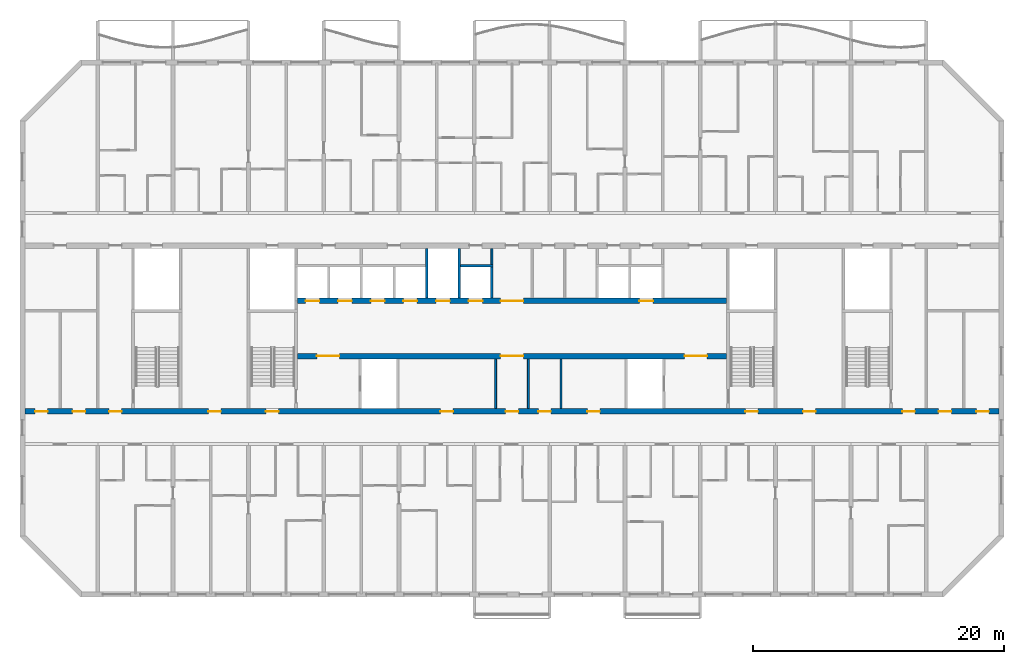
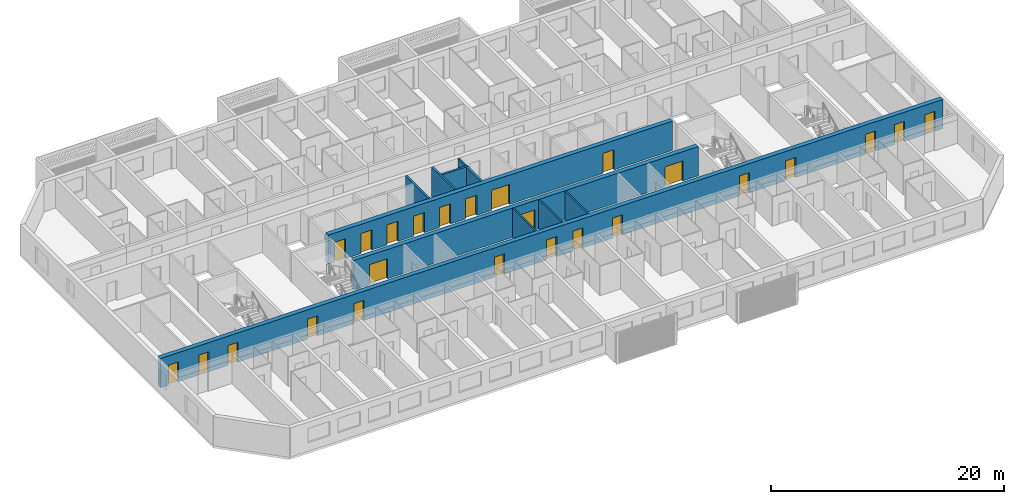
# One storey, part 6 of 31: 25 doors, 11 walls, 25 openings.
"""IFC4 building model written with IfcOpenShell, lengths in metres."""

import ifcopenshell
import ifcopenshell.guid

model = None  # the IFC model being written
_history = None  # IfcOwnerHistory: only IFC2X3 demands one
_inside = {}  # id of a spatial element -> (the spatial element, [elements in it])
_under = {}  # id of a project, library or spatial element -> (it, [spatial elements below it])
_declared = {}  # id of a project -> (the project, [libraries it declares])
_typed = {}  # id of a type object -> (the type object, [elements of that type])
_made_of = {}  # id of a material, layer set ... -> (it, [elements and type objects made of it])


def new_model(schema):
    """Start an empty IFC model of exactly this schema.

    Asked for "IFC4X3", IfcOpenShell would pick the latest addendum, in which some entities
    have other attributes; the version numbers below select the first issue.
    IFC2X3 requires an IfcOwnerHistory on every rooted entity: one is made here for all.
    """
    global model, _history
    if schema == "IFC4X3":
        model = ifcopenshell.file(schema_version=(4, 3, 0, 0))
    else:
        model = ifcopenshell.file(schema=schema)
    _inside.clear()
    _under.clear()
    _declared.clear()
    _typed.clear()
    _made_of.clear()
    _history = None
    if model.schema == "IFC2X3":
        org = make("IfcOrganization", Name="unknown")
        user = make(
            "IfcPersonAndOrganization",
            ThePerson=make("IfcPerson", FamilyName="unknown"),
            TheOrganization=org,
        )
        app = make(
            "IfcApplication",
            ApplicationDeveloper=org,
            Version="unknown",
            ApplicationFullName="unknown",
            ApplicationIdentifier="unknown",
        )
        _history = make(
            "IfcOwnerHistory",
            OwningUser=user,
            OwningApplication=app,
            ChangeAction="ADDED",
            CreationDate=0,
        )
    return model


def make(cls, **values):
    """One entity of the class cls with the attributes given. An attribute that is None is left unset."""
    return model.create_entity(
        cls, **{name: value for name, value in values.items() if value is not None}
    )


def rooted(cls, **values):
    """An entity with a GlobalId (a new one), such as an element, a storey or a relation."""
    return make(cls, GlobalId=ifcopenshell.guid.new(), OwnerHistory=_history, **values)


def si_unit(unit_type, name, prefix=None):
    """IfcSIUnit, for example si_unit("LENGTHUNIT", "METRE", prefix="MILLI")."""
    return make("IfcSIUnit", UnitType=unit_type, Prefix=prefix, Name=name)


def assignment(units):
    """IfcUnitAssignment: the units of a project."""
    return None if units is None else make("IfcUnitAssignment", Units=units)


def point(xyz):
    """IfcCartesianPoint."""
    return None if xyz is None else make("IfcCartesianPoint", Coordinates=xyz)


def direction(xyz):
    """IfcDirection."""
    return None if xyz is None else make("IfcDirection", DirectionRatios=xyz)


def frame(location, z_axis=None, x_axis=None):
    """IfcAxis2Placement3D, a coordinate frame: its origin and axes. An axis left out is left unset."""
    return make(
        "IfcAxis2Placement3D",
        Location=point(location),
        Axis=direction(z_axis),
        RefDirection=direction(x_axis),
    )


def frame_2d(location, x_axis=None):
    """IfcAxis2Placement2D, a coordinate frame in the plane: its origin and x axis."""
    return make(
        "IfcAxis2Placement2D", Location=point(location), RefDirection=direction(x_axis)
    )


def origin():
    """The frame at (0, 0, 0) with its axes left unset."""
    return frame((0.0, 0.0, 0.0))


def place(relative_to, where):
    """IfcLocalPlacement: puts the frame where relative to a parent placement (None: the world)."""
    return make(
        "IfcLocalPlacement", PlacementRelTo=relative_to, RelativePlacement=where
    )


def context(
    kind, dimensions, precision=None, world=None, true_north=None, identifier=None
):
    """IfcGeometricRepresentationContext, for example the 3D "Model" context."""
    return make(
        "IfcGeometricRepresentationContext",
        ContextIdentifier=identifier,
        ContextType=kind,
        CoordinateSpaceDimension=dimensions,
        Precision=precision,
        WorldCoordinateSystem=world,
        TrueNorth=true_north,
    )


def subcontext(parent, identifier, kind, view, scale=None):
    """IfcGeometricRepresentationSubContext, for example "Body" below "Model"."""
    return make(
        "IfcGeometricRepresentationSubContext",
        ContextIdentifier=identifier,
        ContextType=kind,
        ParentContext=parent,
        TargetScale=scale,
        TargetView=view,
    )


def project(units=None, contexts=None):
    """IfcProject with its units and contexts."""
    return rooted(
        "IfcProject",
        Name="project",
        RepresentationContexts=contexts,
        UnitsInContext=assignment(units),
    )


def spatial(cls, under=None, at=None, **own):
    """A site, building, storey or space (cls), placed at a placement, below another one or the project."""
    s = rooted(cls, ObjectPlacement=at, **own)
    if under is not None:
        _under.setdefault(under.id(), (under, []))[1].append(s)
    return s


def profile(cls, at=None, kind="AREA", **sizes):
    """A parametric profile (cls). Its sizes go by their IFC names, for example OverallWidth=200.0."""
    return make(cls, ProfileType=kind, Position=at, **sizes)


def rectangle(**sizes):
    """IfcRectangleProfileDef."""
    return profile("IfcRectangleProfileDef", **sizes)


def extrude(swept, where, along, depth):
    """IfcExtrudedAreaSolid: the profile swept, set in the frame where, extruded along a direction by depth."""
    return make(
        "IfcExtrudedAreaSolid",
        SweptArea=swept,
        Position=where,
        ExtrudedDirection=direction(along),
        Depth=depth,
    )


def shape(context_of_items, identifier, shape_type, items):
    """IfcShapeRepresentation: the items that make up one representation, for example the "Body"."""
    return make(
        "IfcShapeRepresentation",
        ContextOfItems=context_of_items,
        RepresentationIdentifier=identifier,
        RepresentationType=shape_type,
        Items=items,
    )


def material(Name=None, Category=None):
    """IfcMaterial."""
    return make("IfcMaterial", Name=Name, Category=Category)


def layer(
    of_material, thickness, ventilated=None, Name=None, Category=None, Priority=None
):
    """IfcMaterialLayer: one layer of a wall or slab, of a material (None: an air gap)."""
    return make(
        "IfcMaterialLayer",
        Material=of_material,
        LayerThickness=thickness,
        IsVentilated=ventilated,
        Name=Name,
        Category=Category,
        Priority=Priority,
    )


def layer_set(layers, Name=None):
    """IfcMaterialLayerSet."""
    return make("IfcMaterialLayerSet", MaterialLayers=layers, LayerSetName=Name)


def made_of(thing, what):
    """Note that an element or type object is made of a material, layer set ...; save() writes the relation."""
    if what is not None:
        _made_of.setdefault(what.id(), (what, []))[1].append(thing)
    return thing


def type_object(cls, material=None, **own):
    """A type object (cls), such as IfcWallType, which elements share."""
    return made_of(rooted(cls, **own), material)


def element(
    cls,
    number,
    at=None,
    inside=None,
    cuts=None,
    type_object=None,
    material=None,
    context=None,
    identifier="Body",
    shape_type=None,
    held_by="IfcProductDefinitionShape",
    body=None,
    shapes=None,
    **own,
):
    """One element of the class cls, such as IfcWall. Its Tag is "e" and its number.

    at: its placement. inside: the storey or other place that contains it. cuts: it is an
    opening in that element (IfcRelVoidsElement). A single representation is given by context,
    identifier, shape_type and body (its items); several are given by shapes. held_by: the class
    of the entity that holds the representations. save() writes the other relations.
    """
    e = rooted(cls, Tag="e%d" % number, ObjectPlacement=at, **own)
    if body is not None:
        shapes = [shape(context, identifier, shape_type, body)]
    if shapes is not None:
        e.Representation = make(held_by, Representations=shapes)
    if inside is not None:
        _inside.setdefault(inside.id(), (inside, []))[1].append(e)
    if cuts is not None:
        rooted(
            "IfcRelVoidsElement", RelatingBuildingElement=cuts, RelatedOpeningElement=e
        )
    if type_object is not None:
        _typed.setdefault(type_object.id(), (type_object, []))[1].append(e)
    return made_of(e, material)


def fill(opening, filler):
    """IfcRelFillsElement: the door or window that sits in an opening."""
    return rooted(
        "IfcRelFillsElement",
        RelatingOpeningElement=opening,
        RelatedBuildingElement=filler,
    )


def aggregate(whole, parts):
    """IfcRelAggregates: a whole, such as a stair, and the parts it consists of."""
    return rooted("IfcRelAggregates", RelatingObject=whole, RelatedObjects=parts)


def save(model, path):
    """Write the relations noted so far, then the file.

    IfcRelAggregates (storeys below a building ...), IfcRelContainedInSpatialStructure (elements
    in a storey), IfcRelDefinesByType, IfcRelAssociatesMaterial and IfcRelDeclares: one each for
    every whole, place, type object, material and project.
    """
    for whole, parts in _under.values():
        aggregate(whole, parts)
    for where, things in _inside.values():
        rooted(
            "IfcRelContainedInSpatialStructure",
            RelatedElements=things,
            RelatingStructure=where,
        )
    for kind, things in _typed.values():
        rooted("IfcRelDefinesByType", RelatedObjects=things, RelatingType=kind)
    for what, things in _made_of.values():
        rooted("IfcRelAssociatesMaterial", RelatedObjects=things, RelatingMaterial=what)
    for by, libraries in _declared.values():
        rooted("IfcRelDeclares", RelatingContext=by, RelatedDefinitions=libraries)
    model.write(path)


model = new_model("IFC4")

# Units and contexts
model_context = context("Model", 3, precision=1e-05, world=origin(), true_north=direction((0.0, 1.0)))
body_context = subcontext(model_context, "Body", "Model", "MODEL_VIEW")
ifc_project = project(units=[si_unit("LENGTHUNIT", "METRE"), si_unit("AREAUNIT", "SQUARE_METRE"), si_unit("VOLUMEUNIT", "CUBIC_METRE"), si_unit("PLANEANGLEUNIT", "RADIAN"), si_unit("MASSUNIT", "GRAM", prefix="KILO")], contexts=[model_context])

# Site, building, storey
site_placement = place(None, origin())
site = spatial("IfcSite", under=ifc_project, at=site_placement, CompositionType="ELEMENT")
building_placement = place(site_placement, origin())
building = spatial("IfcBuilding", under=site, at=building_placement, Name="Poui Terraces", CompositionType="ELEMENT")
storey_placement = place(building_placement, frame((0.0, 0.0, 148.800048828125)))
storey = spatial("IfcBuildingStorey", under=building, at=storey_placement, Name="L41", CompositionType="ELEMENT", Elevation=148.800048828125)

# Wall, openings, doors
ifc_material_1 = material(Name="Concrete 65 MPa", Category="concrete")
ifc_layer_1 = layer(ifc_material_1, 0.449951171875)
ifc_layer_set_1 = layer_set([ifc_layer_1], Name="Concrete 65 MPa")
wall_type_1 = type_object("IfcWallType", Name="CORE WALL 450 65 MPA", PredefinedType="SOLIDWALL", material=ifc_layer_set_1)
wall_1_placement = place(storey_placement, frame((33.925048828125, 19.0, 0.0), z_axis=(0.0, 0.0, 1.0), x_axis=(1.0, 0.0, 0.0)))
wall_1 = element("IfcWall", 1, at=wall_1_placement, inside=storey, type_object=wall_type_1, Name="CORE WALL", PredefinedType="SOLIDWALL", context=body_context, shape_type="SweptSolid", body=[
    extrude(rectangle(XDim=34.14990234375, YDim=0.449951171875, at=frame_2d((17.074951171875, 0.0))), origin(), (0.0, 0.0, 1.0), 3.070068359375),
])
opening_1_placement = place(wall_1_placement, frame((16.175048828125, 0.0, 0.0)))
opening_1 = element("IfcOpeningElement", 2, at=opening_1_placement, cuts=wall_1, Name="Opening FDD60", PredefinedType="OPENING", context=body_context, shape_type="SweptSolid", body=[
    extrude(rectangle(XDim=1.800048828125, YDim=2.10009765625, at=frame_2d((0.89990234375, 1.050048828125))), frame((0.0, 0.23486328125, 0.0), z_axis=(0.0, -1.0, 0.0), x_axis=(1.0, 0.0, 0.0)), (0.0, 0.0, 1.0), 0.469970703125),
])
opening_2_placement = place(wall_1_placement, frame((1.52490234375, 0.0, 0.0)))
opening_2 = element("IfcOpeningElement", 3, at=opening_2_placement, cuts=wall_1, Name="Opening FDD60", PredefinedType="OPENING", context=body_context, shape_type="SweptSolid", body=[
    extrude(rectangle(XDim=1.800048828125, YDim=2.10009765625, at=frame_2d((0.89990234375, 1.050048828125))), frame((0.0, 0.23486328125, 0.0), z_axis=(0.0, -1.0, 0.0), x_axis=(1.0, 0.0, 0.0)), (0.0, 0.0, 1.0), 0.469970703125),
])
opening_3_placement = place(wall_1_placement, frame((30.824951171875, 0.0, 0.0)))
opening_3 = element("IfcOpeningElement", 4, at=opening_3_placement, cuts=wall_1, Name="Opening FDD60", PredefinedType="OPENING", context=body_context, shape_type="SweptSolid", body=[
    extrude(rectangle(XDim=1.800048828125, YDim=2.10009765625, at=frame_2d((0.89990234375, 1.050048828125))), frame((0.0, 0.23486328125, 0.0), z_axis=(0.0, -1.0, 0.0), x_axis=(1.0, 0.0, 0.0)), (0.0, 0.0, 1.0), 0.469970703125),
])
ifc_material_2 = material(Name="Steel fire door", Category="steel")
door_type_1 = type_object("IfcDoorType", Name="DOUBLE LOBBY FIRE DOOR 1800 X 2100", OperationType="DOUBLE_DOOR_SINGLE_SWING", PredefinedType="DOOR", material=ifc_material_2)
door_1_placement = place(opening_1_placement, frame((1.800048828125, 0.0, 0.0), z_axis=(0.0, 0.0, 1.0), x_axis=(-1.0, 0.0, 0.0)))
door_1 = element("IfcDoor", 5, at=door_1_placement, inside=storey, type_object=door_type_1, Name="DOUBLE LOBBY FIRE DOOR 125", OperationType="DOUBLE_DOOR_SINGLE_SWING", OverallHeight=2.10009765625, OverallWidth=1.800048828125, PredefinedType="DOOR", context=body_context, shape_type="SweptSolid", body=[
    extrude(rectangle(XDim=1.800048828125, YDim=2.10009765625, at=frame_2d((0.89990234375, 1.050048828125))), frame((0.0, 0.02490234375, 0.0), z_axis=(0.0, -1.0, 0.0), x_axis=(1.0, 0.0, 0.0)), (0.0, 0.0, 1.0), 0.050048828125),
])
fill(opening_1, door_1)
door_2_placement = place(opening_2_placement, origin())
door_2 = element("IfcDoor", 6, at=door_2_placement, inside=storey, type_object=door_type_1, Name="DOUBLE LOBBY FIRE DOOR 127", OperationType="DOUBLE_DOOR_SINGLE_SWING", OverallHeight=2.10009765625, OverallWidth=1.800048828125, PredefinedType="DOOR", context=body_context, shape_type="SweptSolid", body=[
    extrude(rectangle(XDim=1.800048828125, YDim=2.10009765625, at=frame_2d((0.89990234375, 1.050048828125))), frame((0.0, 0.02490234375, 0.0), z_axis=(0.0, -1.0, 0.0), x_axis=(1.0, 0.0, 0.0)), (0.0, 0.0, 1.0), 0.050048828125),
])
fill(opening_2, door_2)
door_3_placement = place(opening_3_placement, origin())
door_3 = element("IfcDoor", 7, at=door_3_placement, inside=storey, type_object=door_type_1, Name="DOUBLE LOBBY FIRE DOOR 134", OperationType="DOUBLE_DOOR_SINGLE_SWING", OverallHeight=2.10009765625, OverallWidth=1.800048828125, PredefinedType="DOOR", context=body_context, shape_type="SweptSolid", body=[
    extrude(rectangle(XDim=1.800048828125, YDim=2.10009765625, at=frame_2d((0.89990234375, 1.050048828125))), frame((0.0, 0.02490234375, 0.0), z_axis=(0.0, -1.0, 0.0), x_axis=(1.0, 0.0, 0.0)), (0.0, 0.0, 1.0), 0.050048828125),
])
fill(opening_3, door_3)

wall_2_placement = place(storey_placement, frame((33.925048828125, 23.39990234375, 0.0), z_axis=(0.0, 0.0, 1.0), x_axis=(1.0, 0.0, 0.0)))
wall_2 = element("IfcWall", 8, at=wall_2_placement, inside=storey, type_object=wall_type_1, Name="CORE WALL", PredefinedType="SOLIDWALL", context=body_context, shape_type="SweptSolid", body=[
    extrude(rectangle(XDim=34.14990234375, YDim=0.449951171875, at=frame_2d((17.074951171875, 0.0))), origin(), (0.0, 0.0, 1.0), 3.070068359375),
])
opening_4_placement = place(wall_2_placement, frame((16.175048828125, 0.0, 0.0)))
opening_4 = element("IfcOpeningElement", 9, at=opening_4_placement, cuts=wall_2, Name="Opening FDD60", PredefinedType="OPENING", context=body_context, shape_type="SweptSolid", body=[
    extrude(rectangle(XDim=1.800048828125, YDim=2.10009765625, at=frame_2d((0.89990234375, 1.050048828125))), frame((0.0, 0.23486328125, 0.0), z_axis=(0.0, -1.0, 0.0), x_axis=(1.0, 0.0, 0.0)), (0.0, 0.0, 1.0), 0.469970703125),
])
opening_5_placement = place(wall_2_placement, frame((0.625, 0.0, 0.0)))
opening_5 = element("IfcOpeningElement", 10, at=opening_5_placement, cuts=wall_2, Name="Opening LD", PredefinedType="OPENING", context=body_context, shape_type="SweptSolid", body=[
    extrude(rectangle(XDim=1.10009765625, YDim=2.10009765625, at=frame_2d((0.550048828125, 1.050048828125))), frame((0.0, 0.23486328125, 0.0), z_axis=(0.0, -1.0, 0.0), x_axis=(1.0, 0.0, 0.0)), (0.0, 0.0, 1.0), 0.469970703125),
])
opening_6_placement = place(wall_2_placement, frame((3.22509765625, 0.0, 0.0)))
opening_6 = element("IfcOpeningElement", 11, at=opening_6_placement, cuts=wall_2, Name="Opening LD", PredefinedType="OPENING", context=body_context, shape_type="SweptSolid", body=[
    extrude(rectangle(XDim=1.10009765625, YDim=2.10009765625, at=frame_2d((0.550048828125, 1.050048828125))), frame((0.0, 0.23486328125, 0.0), z_axis=(0.0, -1.0, 0.0), x_axis=(1.0, 0.0, 0.0)), (0.0, 0.0, 1.0), 0.469970703125),
])
opening_7_placement = place(wall_2_placement, frame((5.824951171875, 0.0, 0.0)))
opening_7 = element("IfcOpeningElement", 12, at=opening_7_placement, cuts=wall_2, Name="Opening LD", PredefinedType="OPENING", context=body_context, shape_type="SweptSolid", body=[
    extrude(rectangle(XDim=1.10009765625, YDim=2.10009765625, at=frame_2d((0.550048828125, 1.050048828125))), frame((0.0, 0.23486328125, 0.0), z_axis=(0.0, -1.0, 0.0), x_axis=(1.0, 0.0, 0.0)), (0.0, 0.0, 1.0), 0.469970703125),
])
opening_8_placement = place(wall_2_placement, frame((8.425048828125, 0.0, 0.0)))
opening_8 = element("IfcOpeningElement", 13, at=opening_8_placement, cuts=wall_2, Name="Opening LD", PredefinedType="OPENING", context=body_context, shape_type="SweptSolid", body=[
    extrude(rectangle(XDim=1.10009765625, YDim=2.10009765625, at=frame_2d((0.550048828125, 1.050048828125))), frame((0.0, 0.23486328125, 0.0), z_axis=(0.0, -1.0, 0.0), x_axis=(1.0, 0.0, 0.0)), (0.0, 0.0, 1.0), 0.469970703125),
])
opening_9_placement = place(wall_2_placement, frame((11.02490234375, 0.0, 0.0)))
opening_9 = element("IfcOpeningElement", 14, at=opening_9_placement, cuts=wall_2, Name="Opening LD", PredefinedType="OPENING", context=body_context, shape_type="SweptSolid", body=[
    extrude(rectangle(XDim=1.10009765625, YDim=2.10009765625, at=frame_2d((0.550048828125, 1.050048828125))), frame((0.0, 0.23486328125, 0.0), z_axis=(0.0, -1.0, 0.0), x_axis=(1.0, 0.0, 0.0)), (0.0, 0.0, 1.0), 0.469970703125),
])
opening_10_placement = place(wall_2_placement, frame((13.625, 0.0, 0.0)))
opening_10 = element("IfcOpeningElement", 15, at=opening_10_placement, cuts=wall_2, Name="Opening LD", PredefinedType="OPENING", context=body_context, shape_type="SweptSolid", body=[
    extrude(rectangle(XDim=1.10009765625, YDim=2.10009765625, at=frame_2d((0.550048828125, 1.050048828125))), frame((0.0, 0.23486328125, 0.0), z_axis=(0.0, -1.0, 0.0), x_axis=(1.0, 0.0, 0.0)), (0.0, 0.0, 1.0), 0.469970703125),
])
opening_11_placement = place(wall_2_placement, frame((27.22509765625, 0.0, 0.0)))
opening_11 = element("IfcOpeningElement", 16, at=opening_11_placement, cuts=wall_2, Name="Opening LD", PredefinedType="OPENING", context=body_context, shape_type="SweptSolid", body=[
    extrude(rectangle(XDim=1.10009765625, YDim=2.10009765625, at=frame_2d((0.550048828125, 1.050048828125))), frame((0.0, 0.23486328125, 0.0), z_axis=(0.0, -1.0, 0.0), x_axis=(1.0, 0.0, 0.0)), (0.0, 0.0, 1.0), 0.469970703125),
])
door_4_placement = place(opening_4_placement, origin())
door_4 = element("IfcDoor", 17, at=door_4_placement, inside=storey, type_object=door_type_1, Name="DOUBLE LOBBY FIRE DOOR 124", OperationType="DOUBLE_DOOR_SINGLE_SWING", OverallHeight=2.10009765625, OverallWidth=1.800048828125, PredefinedType="DOOR", context=body_context, shape_type="SweptSolid", body=[
    extrude(rectangle(XDim=1.800048828125, YDim=2.10009765625, at=frame_2d((0.89990234375, 1.050048828125))), frame((0.0, 0.02490234375, 0.0), z_axis=(0.0, -1.0, 0.0), x_axis=(1.0, 0.0, 0.0)), (0.0, 0.0, 1.0), 0.050048828125),
])
fill(opening_4, door_4)
ifc_material_3 = material(Name="Stainless steel sliding door", Category="steel")
door_type_2 = type_object("IfcDoorType", Name="LIFT LANDING DOOR 1100 X 2100", OperationType="DOUBLE_DOOR_SLIDING", PredefinedType="DOOR", material=ifc_material_3)
door_5_placement = place(opening_5_placement, origin())
door_5 = element("IfcDoor", 18, at=door_5_placement, inside=storey, type_object=door_type_2, Name="LANDING DOOR", OperationType="DOUBLE_DOOR_SLIDING", OverallHeight=2.10009765625, OverallWidth=1.10009765625, PredefinedType="DOOR", context=body_context, shape_type="SweptSolid", body=[
    extrude(rectangle(XDim=1.10009765625, YDim=2.10009765625, at=frame_2d((0.550048828125, 1.050048828125))), frame((0.0, 0.02490234375, 0.0), z_axis=(0.0, -1.0, 0.0), x_axis=(1.0, 0.0, 0.0)), (0.0, 0.0, 1.0), 0.050048828125),
])
fill(opening_5, door_5)
door_6_placement = place(opening_6_placement, origin())
door_6 = element("IfcDoor", 19, at=door_6_placement, inside=storey, type_object=door_type_2, Name="LANDING DOOR", OperationType="DOUBLE_DOOR_SLIDING", OverallHeight=2.10009765625, OverallWidth=1.10009765625, PredefinedType="DOOR", context=body_context, shape_type="SweptSolid", body=[
    extrude(rectangle(XDim=1.10009765625, YDim=2.10009765625, at=frame_2d((0.550048828125, 1.050048828125))), frame((0.0, 0.02490234375, 0.0), z_axis=(0.0, -1.0, 0.0), x_axis=(1.0, 0.0, 0.0)), (0.0, 0.0, 1.0), 0.050048828125),
])
fill(opening_6, door_6)
door_7_placement = place(opening_7_placement, origin())
door_7 = element("IfcDoor", 20, at=door_7_placement, inside=storey, type_object=door_type_2, Name="LANDING DOOR", OperationType="DOUBLE_DOOR_SLIDING", OverallHeight=2.10009765625, OverallWidth=1.10009765625, PredefinedType="DOOR", context=body_context, shape_type="SweptSolid", body=[
    extrude(rectangle(XDim=1.10009765625, YDim=2.10009765625, at=frame_2d((0.550048828125, 1.050048828125))), frame((0.0, 0.02490234375, 0.0), z_axis=(0.0, -1.0, 0.0), x_axis=(1.0, 0.0, 0.0)), (0.0, 0.0, 1.0), 0.050048828125),
])
fill(opening_7, door_7)
door_8_placement = place(opening_8_placement, origin())
door_8 = element("IfcDoor", 21, at=door_8_placement, inside=storey, type_object=door_type_2, Name="LANDING DOOR", OperationType="DOUBLE_DOOR_SLIDING", OverallHeight=2.10009765625, OverallWidth=1.10009765625, PredefinedType="DOOR", context=body_context, shape_type="SweptSolid", body=[
    extrude(rectangle(XDim=1.10009765625, YDim=2.10009765625, at=frame_2d((0.550048828125, 1.050048828125))), frame((0.0, 0.02490234375, 0.0), z_axis=(0.0, -1.0, 0.0), x_axis=(1.0, 0.0, 0.0)), (0.0, 0.0, 1.0), 0.050048828125),
])
fill(opening_8, door_8)
door_9_placement = place(opening_9_placement, origin())
door_9 = element("IfcDoor", 22, at=door_9_placement, inside=storey, type_object=door_type_2, Name="LANDING DOOR", OperationType="DOUBLE_DOOR_SLIDING", OverallHeight=2.10009765625, OverallWidth=1.10009765625, PredefinedType="DOOR", context=body_context, shape_type="SweptSolid", body=[
    extrude(rectangle(XDim=1.10009765625, YDim=2.10009765625, at=frame_2d((0.550048828125, 1.050048828125))), frame((0.0, 0.02490234375, 0.0), z_axis=(0.0, -1.0, 0.0), x_axis=(1.0, 0.0, 0.0)), (0.0, 0.0, 1.0), 0.050048828125),
])
fill(opening_9, door_9)
door_10_placement = place(opening_10_placement, origin())
door_10 = element("IfcDoor", 23, at=door_10_placement, inside=storey, type_object=door_type_2, Name="LANDING DOOR", OperationType="DOUBLE_DOOR_SLIDING", OverallHeight=2.10009765625, OverallWidth=1.10009765625, PredefinedType="DOOR", context=body_context, shape_type="SweptSolid", body=[
    extrude(rectangle(XDim=1.10009765625, YDim=2.10009765625, at=frame_2d((0.550048828125, 1.050048828125))), frame((0.0, 0.02490234375, 0.0), z_axis=(0.0, -1.0, 0.0), x_axis=(1.0, 0.0, 0.0)), (0.0, 0.0, 1.0), 0.050048828125),
])
fill(opening_10, door_10)
door_11_placement = place(opening_11_placement, origin())
door_11 = element("IfcDoor", 24, at=door_11_placement, inside=storey, type_object=door_type_2, Name="LANDING DOOR", OperationType="DOUBLE_DOOR_SLIDING", OverallHeight=2.10009765625, OverallWidth=1.10009765625, PredefinedType="DOOR", context=body_context, shape_type="SweptSolid", body=[
    extrude(rectangle(XDim=1.10009765625, YDim=2.10009765625, at=frame_2d((0.550048828125, 1.050048828125))), frame((0.0, 0.02490234375, 0.0), z_axis=(0.0, -1.0, 0.0), x_axis=(1.0, 0.0, 0.0)), (0.0, 0.0, 1.0), 0.050048828125),
])
fill(opening_11, door_11)

# Walls
ifc_material_4 = material(Name="Fire-rated plasterboard wall")
ifc_layer_2 = layer(ifc_material_4, 0.14990234375)
ifc_layer_set_2 = layer_set([ifc_layer_2], Name="Fire-rated plasterboard wall")
wall_type_2 = type_object("IfcWallType", Name="CORRIDOR WALL 150", PredefinedType="PARTITIONING", material=ifc_layer_set_2)
wall_3_placement = place(storey_placement, frame((49.39990234375, 26.300048828125, 0.0), z_axis=(0.0, 0.0, 1.0), x_axis=(0.0, 1.0, 0.0)))
element("IfcWall", 25, at=wall_3_placement, inside=storey, type_object=wall_type_2, Name="CORRIDOR WALL 150", PredefinedType="PARTITIONING", context=body_context, shape_type="SweptSolid", body=[
    extrude(rectangle(XDim=1.264892578125, YDim=0.14990234375, at=frame_2d((0.63232421875, 0.0))), origin(), (0.0, 0.0, 1.0), 3.070068359375),
])
for number, where, z_axis, x_axis, name in (
    (26, (49.699951171875, 14.8349609375, 0.0), (0.0, 0.0, 1.0), (0.0, 1.0, 0.0), "CORRIDOR WALL 150"),
    (27, (52.300048828125, 14.8349609375, 0.0), (0.0, 0.0, 1.0), (0.0, 1.0, 0.0), "CORRIDOR WALL 150"),
):
    element("IfcWall", number, at=place(storey_placement, frame(where, z_axis=z_axis, x_axis=x_axis)), inside=storey, type_object=wall_type_2, Name=name, PredefinedType="PARTITIONING", context=body_context, shape_type="SweptSolid", body=[
        extrude(rectangle(XDim=3.929931640625, YDim=0.14990234375, at=frame_2d((1.96484375, 0.0))), origin(), (0.0, 0.0, 1.0), 3.070068359375),
    ])
ifc_material_5 = material(Name="Plasterboard partition")
ifc_layer_3 = layer(ifc_material_5, 0.14990234375)
ifc_layer_set_3 = layer_set([ifc_layer_3], Name="Plasterboard partition")
wall_type_3 = type_object("IfcWallType", Name="PARTITION WALL 150", PredefinedType="PARTITIONING", material=ifc_layer_set_3)
wall_4_placement = place(storey_placement, frame((54.89990234375, 14.8349609375, 0.0), z_axis=(0.0, 0.0, 1.0), x_axis=(0.0, 1.0, 0.0)))
element("IfcWall", 28, at=wall_4_placement, inside=storey, type_object=wall_type_3, Name="PARTITION WALL 150", PredefinedType="PARTITIONING", context=body_context, shape_type="SweptSolid", body=[
    extrude(rectangle(XDim=3.929931640625, YDim=0.14990234375, at=frame_2d((1.96484375, 0.0))), origin(), (0.0, 0.0, 1.0), 3.070068359375),
])
ifc_material_6 = material(Name="Fire-rated masonry shaft wall", Category="masonry")
ifc_layer_4 = layer(ifc_material_6, 0.199951171875)
ifc_layer_set_4 = layer_set([ifc_layer_4], Name="Fire-rated masonry shaft wall")
wall_type_4 = type_object("IfcWallType", Name="SHAFT WALL 200", PredefinedType="PARTITIONING", material=ifc_layer_set_4)
wall_5_placement = place(storey_placement, frame((46.89990234375, 26.199951171875, 0.0), z_axis=(0.0, 0.0, 1.0), x_axis=(1.0, 0.0, 0.0)))
element("IfcWall", 29, at=wall_5_placement, inside=storey, type_object=wall_type_4, Name="SHAFT WALL 200", PredefinedType="PARTITIONING", context=body_context, shape_type="SweptSolid", body=[
    extrude(rectangle(XDim=2.60009765625, YDim=0.199951171875, at=frame_2d((1.300048828125, 0.0))), origin(), (0.0, 0.0, 1.0), 3.070068359375),
])
for number, where, z_axis, x_axis, name in (
    (30, (44.199951171875, 23.635009765625, 0.0), (0.0, 0.0, 1.0), (0.0, 1.0, 0.0), "SHAFT WALL 200"),
    (31, (46.800048828125, 23.635009765625, 0.0), (0.0, 0.0, 1.0), (0.0, 1.0, 0.0), "SHAFT WALL 200"),
):
    element("IfcWall", number, at=place(storey_placement, frame(where, z_axis=z_axis, x_axis=x_axis)), inside=storey, type_object=wall_type_4, Name=name, PredefinedType="PARTITIONING", context=body_context, shape_type="SweptSolid", body=[
        extrude(rectangle(XDim=3.929931640625, YDim=0.199951171875, at=frame_2d((1.96484375, 0.0))), origin(), (0.0, 0.0, 1.0), 3.070068359375),
    ])
wall_6_placement = place(storey_placement, frame((49.39990234375, 23.635009765625, 0.0), z_axis=(0.0, 0.0, 1.0), x_axis=(0.0, 1.0, 0.0)))
element("IfcWall", 32, at=wall_6_placement, inside=storey, type_object=wall_type_4, Name="SHAFT WALL 200", PredefinedType="PARTITIONING", context=body_context, shape_type="SweptSolid", body=[
    extrude(rectangle(XDim=2.465087890625, YDim=0.199951171875, at=frame_2d((1.232421875, 0.0))), origin(), (0.0, 0.0, 1.0), 3.070068359375),
])

# Wall, openings, doors
ifc_layer_5 = layer(ifc_material_1, 0.449951171875)
ifc_layer_set_5 = layer_set([ifc_layer_5], Name="Concrete 65 MPa")
wall_type_5 = type_object("IfcWallType", Name="SPINE WALL 450 65 MPA", PredefinedType="SOLIDWALL", material=ifc_layer_set_5)
wall_7_placement = place(storey_placement, frame((12.199951171875, 14.60009765625, 0.0), z_axis=(0.0, 0.0, 1.0), x_axis=(1.0, 0.0, 0.0)))
wall_7 = element("IfcWall", 33, at=wall_7_placement, inside=storey, type_object=wall_type_5, Name="SPINE WALL", PredefinedType="SOLIDWALL", context=body_context, shape_type="SweptSolid", body=[
    extrude(rectangle(XDim=77.60009765625, YDim=0.449951171875, at=frame_2d((38.800048828125, 0.0))), origin(), (0.0, 0.0, 1.0), 3.070068359375),
])
opening_12_placement = place(wall_7_placement, frame((0.800048828125, 0.0, 0.0)))
opening_12 = element("IfcOpeningElement", 34, at=opening_12_placement, cuts=wall_7, Name="Opening FD60", PredefinedType="OPENING", context=body_context, shape_type="SweptSolid", body=[
    extrude(rectangle(XDim=1.0, YDim=2.10009765625, at=frame_2d((0.5, 1.050048828125))), frame((0.0, 0.23486328125, 0.0), z_axis=(0.0, -1.0, 0.0), x_axis=(1.0, 0.0, 0.0)), (0.0, 0.0, 1.0), 0.469970703125),
])
opening_13_placement = place(wall_7_placement, frame((3.800048828125, 0.0, 0.0)))
opening_13 = element("IfcOpeningElement", 35, at=opening_13_placement, cuts=wall_7, Name="Opening FD60", PredefinedType="OPENING", context=body_context, shape_type="SweptSolid", body=[
    extrude(rectangle(XDim=1.0, YDim=2.10009765625, at=frame_2d((0.5, 1.050048828125))), frame((0.0, 0.23486328125, 0.0), z_axis=(0.0, -1.0, 0.0), x_axis=(1.0, 0.0, 0.0)), (0.0, 0.0, 1.0), 0.469970703125),
])
opening_14_placement = place(wall_7_placement, frame((6.699951171875, 0.0, 0.0)))
opening_14 = element("IfcOpeningElement", 36, at=opening_14_placement, cuts=wall_7, Name="Opening FDL", PredefinedType="OPENING", context=body_context, shape_type="SweptSolid", body=[
    extrude(rectangle(XDim=1.0, YDim=2.10009765625, at=frame_2d((0.5, 1.050048828125))), frame((0.0, 0.23486328125, 0.0), z_axis=(0.0, -1.0, 0.0), x_axis=(1.0, 0.0, 0.0)), (0.0, 0.0, 1.0), 0.469970703125),
])
opening_15_placement = place(wall_7_placement, frame((14.60009765625, 0.0, 0.0)))
opening_15 = element("IfcOpeningElement", 37, at=opening_15_placement, cuts=wall_7, Name="Opening D100", PredefinedType="OPENING", context=body_context, shape_type="SweptSolid", body=[
    extrude(rectangle(XDim=1.0, YDim=2.10009765625, at=frame_2d((0.5, 1.050048828125))), frame((0.0, 0.23486328125, 0.0), z_axis=(0.0, -1.0, 0.0), x_axis=(1.0, 0.0, 0.0)), (0.0, 0.0, 1.0), 0.469970703125),
])
opening_16_placement = place(wall_7_placement, frame((19.199951171875, 0.0, 0.0)))
opening_16 = element("IfcOpeningElement", 38, at=opening_16_placement, cuts=wall_7, Name="Opening FD60S", PredefinedType="OPENING", context=body_context, shape_type="SweptSolid", body=[
    extrude(rectangle(XDim=1.0, YDim=2.10009765625, at=frame_2d((0.5, 1.050048828125))), frame((0.0, 0.23486328125, 0.0), z_axis=(0.0, -1.0, 0.0), x_axis=(1.0, 0.0, 0.0)), (0.0, 0.0, 1.0), 0.469970703125),
])
opening_17_placement = place(wall_7_placement, frame((33.10009765625, 0.0, 0.0)))
opening_17 = element("IfcOpeningElement", 39, at=opening_17_placement, cuts=wall_7, Name="Opening FD60", PredefinedType="OPENING", context=body_context, shape_type="SweptSolid", body=[
    extrude(rectangle(XDim=1.0, YDim=2.10009765625, at=frame_2d((0.5, 1.050048828125))), frame((0.0, 0.23486328125, 0.0), z_axis=(0.0, -1.0, 0.0), x_axis=(1.0, 0.0, 0.0)), (0.0, 0.0, 1.0), 0.469970703125),
])
opening_18_placement = place(wall_7_placement, frame((38.300048828125, 0.0, 0.0)))
opening_18 = element("IfcOpeningElement", 40, at=opening_18_placement, cuts=wall_7, Name="Opening FDL", PredefinedType="OPENING", context=body_context, shape_type="SweptSolid", body=[
    extrude(rectangle(XDim=1.0, YDim=2.10009765625, at=frame_2d((0.5, 1.050048828125))), frame((0.0, 0.23486328125, 0.0), z_axis=(0.0, -1.0, 0.0), x_axis=(1.0, 0.0, 0.0)), (0.0, 0.0, 1.0), 0.469970703125),
])
opening_19_placement = place(wall_7_placement, frame((40.89990234375, 0.0, 0.0)))
opening_19 = element("IfcOpeningElement", 41, at=opening_19_placement, cuts=wall_7, Name="Opening FD60", PredefinedType="OPENING", context=body_context, shape_type="SweptSolid", body=[
    extrude(rectangle(XDim=1.0, YDim=2.10009765625, at=frame_2d((0.5, 1.050048828125))), frame((0.0, 0.23486328125, 0.0), z_axis=(0.0, -1.0, 0.0), x_axis=(1.0, 0.0, 0.0)), (0.0, 0.0, 1.0), 0.469970703125),
])
opening_20_placement = place(wall_7_placement, frame((44.800048828125, 0.0, 0.0)))
opening_20 = element("IfcOpeningElement", 42, at=opening_20_placement, cuts=wall_7, Name="Opening FD60", PredefinedType="OPENING", context=body_context, shape_type="SweptSolid", body=[
    extrude(rectangle(XDim=1.0, YDim=2.10009765625, at=frame_2d((0.5, 1.050048828125))), frame((0.0, 0.23486328125, 0.0), z_axis=(0.0, -1.0, 0.0), x_axis=(1.0, 0.0, 0.0)), (0.0, 0.0, 1.0), 0.469970703125),
])
opening_21_placement = place(wall_7_placement, frame((57.39990234375, 0.0, 0.0)))
opening_21 = element("IfcOpeningElement", 43, at=opening_21_placement, cuts=wall_7, Name="Opening FD60S", PredefinedType="OPENING", context=body_context, shape_type="SweptSolid", body=[
    extrude(rectangle(XDim=1.0, YDim=2.10009765625, at=frame_2d((0.5, 1.050048828125))), frame((0.0, 0.23486328125, 0.0), z_axis=(0.0, -1.0, 0.0), x_axis=(1.0, 0.0, 0.0)), (0.0, 0.0, 1.0), 0.469970703125),
])
opening_22_placement = place(wall_7_placement, frame((62.0, 0.0, 0.0)))
opening_22 = element("IfcOpeningElement", 44, at=opening_22_placement, cuts=wall_7, Name="Opening D100", PredefinedType="OPENING", context=body_context, shape_type="SweptSolid", body=[
    extrude(rectangle(XDim=1.0, YDim=2.10009765625, at=frame_2d((0.5, 1.050048828125))), frame((0.0, 0.23486328125, 0.0), z_axis=(0.0, -1.0, 0.0), x_axis=(1.0, 0.0, 0.0)), (0.0, 0.0, 1.0), 0.469970703125),
])
opening_23_placement = place(wall_7_placement, frame((69.89990234375, 0.0, 0.0)))
opening_23 = element("IfcOpeningElement", 45, at=opening_23_placement, cuts=wall_7, Name="Opening FDL", PredefinedType="OPENING", context=body_context, shape_type="SweptSolid", body=[
    extrude(rectangle(XDim=1.0, YDim=2.10009765625, at=frame_2d((0.5, 1.050048828125))), frame((0.0, 0.23486328125, 0.0), z_axis=(0.0, -1.0, 0.0), x_axis=(1.0, 0.0, 0.0)), (0.0, 0.0, 1.0), 0.469970703125),
])
opening_24_placement = place(wall_7_placement, frame((72.800048828125, 0.0, 0.0)))
opening_24 = element("IfcOpeningElement", 46, at=opening_24_placement, cuts=wall_7, Name="Opening FD60", PredefinedType="OPENING", context=body_context, shape_type="SweptSolid", body=[
    extrude(rectangle(XDim=1.0, YDim=2.10009765625, at=frame_2d((0.5, 1.050048828125))), frame((0.0, 0.23486328125, 0.0), z_axis=(0.0, -1.0, 0.0), x_axis=(1.0, 0.0, 0.0)), (0.0, 0.0, 1.0), 0.469970703125),
])
opening_25_placement = place(wall_7_placement, frame((75.800048828125, 0.0, 0.0)))
opening_25 = element("IfcOpeningElement", 47, at=opening_25_placement, cuts=wall_7, Name="Opening D100", PredefinedType="OPENING", context=body_context, shape_type="SweptSolid", body=[
    extrude(rectangle(XDim=1.0, YDim=2.10009765625, at=frame_2d((0.5, 1.050048828125))), frame((0.0, 0.23486328125, 0.0), z_axis=(0.0, -1.0, 0.0), x_axis=(1.0, 0.0, 0.0)), (0.0, 0.0, 1.0), 0.469970703125),
])
ifc_material_7 = material(Name="Solid core timber door", Category="wood")
door_type_3 = type_object("IfcDoorType", Name="ACCESSIBLE INTERNAL DOOR 1000 X 2100", OperationType="NOTDEFINED", PredefinedType="DOOR", material=ifc_material_7)
door_12_placement = place(opening_15_placement, frame((1.0, 0.0, 0.0), z_axis=(0.0, 0.0, 1.0), x_axis=(-1.0, 0.0, 0.0)))
door_12 = element("IfcDoor", 48, at=door_12_placement, inside=storey, type_object=door_type_3, Name="ACCESSIBLE INTERNAL DOOR 021", OperationType="SINGLE_SWING_RIGHT", OverallHeight=2.10009765625, OverallWidth=1.0, PredefinedType="DOOR", context=body_context, shape_type="SweptSolid", body=[
    extrude(rectangle(XDim=1.0, YDim=2.10009765625, at=frame_2d((0.5, 1.050048828125))), frame((0.0, 0.02490234375, 0.0), z_axis=(0.0, -1.0, 0.0), x_axis=(1.0, 0.0, 0.0)), (0.0, 0.0, 1.0), 0.050048828125),
])
fill(opening_15, door_12)
door_13_placement = place(opening_22_placement, frame((1.0, 0.0, 0.0), z_axis=(0.0, 0.0, 1.0), x_axis=(-1.0, 0.0, 0.0)))
door_13 = element("IfcDoor", 49, at=door_13_placement, inside=storey, type_object=door_type_3, Name="ACCESSIBLE INTERNAL DOOR 028", OperationType="SINGLE_SWING_LEFT", OverallHeight=2.10009765625, OverallWidth=1.0, PredefinedType="DOOR", context=body_context, shape_type="SweptSolid", body=[
    extrude(rectangle(XDim=1.0, YDim=2.10009765625, at=frame_2d((0.5, 1.050048828125))), frame((0.0, 0.02490234375, 0.0), z_axis=(0.0, -1.0, 0.0), x_axis=(1.0, 0.0, 0.0)), (0.0, 0.0, 1.0), 0.050048828125),
])
fill(opening_22, door_13)
door_14_placement = place(opening_25_placement, frame((1.0, 0.0, 0.0), z_axis=(0.0, 0.0, 1.0), x_axis=(-1.0, 0.0, 0.0)))
door_14 = element("IfcDoor", 50, at=door_14_placement, inside=storey, type_object=door_type_3, Name="ACCESSIBLE INTERNAL DOOR 031", OperationType="SINGLE_SWING_RIGHT", OverallHeight=2.10009765625, OverallWidth=1.0, PredefinedType="DOOR", context=body_context, shape_type="SweptSolid", body=[
    extrude(rectangle(XDim=1.0, YDim=2.10009765625, at=frame_2d((0.5, 1.050048828125))), frame((0.0, 0.02490234375, 0.0), z_axis=(0.0, -1.0, 0.0), x_axis=(1.0, 0.0, 0.0)), (0.0, 0.0, 1.0), 0.050048828125),
])
fill(opening_25, door_14)
door_type_4 = type_object("IfcDoorType", Name="LOBBY FIRE DOOR 1000 X 2100", OperationType="NOTDEFINED", PredefinedType="DOOR", material=ifc_material_2)
door_15_placement = place(opening_14_placement, frame((1.0, 0.0, 0.0), z_axis=(0.0, 0.0, 1.0), x_axis=(-1.0, 0.0, 0.0)))
door_15 = element("IfcDoor", 51, at=door_15_placement, inside=storey, type_object=door_type_4, Name="LOBBY FIRE DOOR 020", OperationType="SINGLE_SWING_RIGHT", OverallHeight=2.10009765625, OverallWidth=1.0, PredefinedType="DOOR", context=body_context, shape_type="SweptSolid", body=[
    extrude(rectangle(XDim=1.0, YDim=2.10009765625, at=frame_2d((0.5, 1.050048828125))), frame((0.0, 0.02490234375, 0.0), z_axis=(0.0, -1.0, 0.0), x_axis=(1.0, 0.0, 0.0)), (0.0, 0.0, 1.0), 0.050048828125),
])
fill(opening_14, door_15)
door_16_placement = place(opening_18_placement, frame((1.0, 0.0, 0.0), z_axis=(0.0, 0.0, 1.0), x_axis=(-1.0, 0.0, 0.0)))
door_16 = element("IfcDoor", 52, at=door_16_placement, inside=storey, type_object=door_type_4, Name="LOBBY FIRE DOOR 024", OperationType="SINGLE_SWING_LEFT", OverallHeight=2.10009765625, OverallWidth=1.0, PredefinedType="DOOR", context=body_context, shape_type="SweptSolid", body=[
    extrude(rectangle(XDim=1.0, YDim=2.10009765625, at=frame_2d((0.5, 1.050048828125))), frame((0.0, 0.02490234375, 0.0), z_axis=(0.0, -1.0, 0.0), x_axis=(1.0, 0.0, 0.0)), (0.0, 0.0, 1.0), 0.050048828125),
])
fill(opening_18, door_16)
door_17_placement = place(opening_23_placement, frame((1.0, 0.0, 0.0), z_axis=(0.0, 0.0, 1.0), x_axis=(-1.0, 0.0, 0.0)))
door_17 = element("IfcDoor", 53, at=door_17_placement, inside=storey, type_object=door_type_4, Name="LOBBY FIRE DOOR 029", OperationType="SINGLE_SWING_LEFT", OverallHeight=2.10009765625, OverallWidth=1.0, PredefinedType="DOOR", context=body_context, shape_type="SweptSolid", body=[
    extrude(rectangle(XDim=1.0, YDim=2.10009765625, at=frame_2d((0.5, 1.050048828125))), frame((0.0, 0.02490234375, 0.0), z_axis=(0.0, -1.0, 0.0), x_axis=(1.0, 0.0, 0.0)), (0.0, 0.0, 1.0), 0.050048828125),
])
fill(opening_23, door_17)
door_type_5 = type_object("IfcDoorType", Name="SERVICE ROOM FIRE DOOR 1000 X 2100", OperationType="NOTDEFINED", PredefinedType="DOOR", material=ifc_material_2)
door_18_placement = place(opening_12_placement, frame((1.0, 0.0, 0.0), z_axis=(0.0, 0.0, 1.0), x_axis=(-1.0, 0.0, 0.0)))
door_18 = element("IfcDoor", 54, at=door_18_placement, inside=storey, type_object=door_type_5, Name="SERVICE ROOM FIRE DOOR 018", OperationType="SINGLE_SWING_RIGHT", OverallHeight=2.10009765625, OverallWidth=1.0, PredefinedType="DOOR", context=body_context, shape_type="SweptSolid", body=[
    extrude(rectangle(XDim=1.0, YDim=2.10009765625, at=frame_2d((0.5, 1.050048828125))), frame((0.0, 0.02490234375, 0.0), z_axis=(0.0, -1.0, 0.0), x_axis=(1.0, 0.0, 0.0)), (0.0, 0.0, 1.0), 0.050048828125),
])
fill(opening_12, door_18)
door_19_placement = place(opening_13_placement, frame((1.0, 0.0, 0.0), z_axis=(0.0, 0.0, 1.0), x_axis=(-1.0, 0.0, 0.0)))
door_19 = element("IfcDoor", 55, at=door_19_placement, inside=storey, type_object=door_type_5, Name="SERVICE ROOM FIRE DOOR 019", OperationType="SINGLE_SWING_LEFT", OverallHeight=2.10009765625, OverallWidth=1.0, PredefinedType="DOOR", context=body_context, shape_type="SweptSolid", body=[
    extrude(rectangle(XDim=1.0, YDim=2.10009765625, at=frame_2d((0.5, 1.050048828125))), frame((0.0, 0.02490234375, 0.0), z_axis=(0.0, -1.0, 0.0), x_axis=(1.0, 0.0, 0.0)), (0.0, 0.0, 1.0), 0.050048828125),
])
fill(opening_13, door_19)
door_20_placement = place(opening_17_placement, frame((1.0, 0.0, 0.0), z_axis=(0.0, 0.0, 1.0), x_axis=(-1.0, 0.0, 0.0)))
door_20 = element("IfcDoor", 56, at=door_20_placement, inside=storey, type_object=door_type_5, Name="SERVICE ROOM FIRE DOOR 023", OperationType="SINGLE_SWING_LEFT", OverallHeight=2.10009765625, OverallWidth=1.0, PredefinedType="DOOR", context=body_context, shape_type="SweptSolid", body=[
    extrude(rectangle(XDim=1.0, YDim=2.10009765625, at=frame_2d((0.5, 1.050048828125))), frame((0.0, 0.02490234375, 0.0), z_axis=(0.0, -1.0, 0.0), x_axis=(1.0, 0.0, 0.0)), (0.0, 0.0, 1.0), 0.050048828125),
])
fill(opening_17, door_20)
door_21_placement = place(opening_19_placement, frame((1.0, 0.0, 0.0), z_axis=(0.0, 0.0, 1.0), x_axis=(-1.0, 0.0, 0.0)))
door_21 = element("IfcDoor", 57, at=door_21_placement, inside=storey, type_object=door_type_5, Name="SERVICE ROOM FIRE DOOR 025", OperationType="SINGLE_SWING_RIGHT", OverallHeight=2.10009765625, OverallWidth=1.0, PredefinedType="DOOR", context=body_context, shape_type="SweptSolid", body=[
    extrude(rectangle(XDim=1.0, YDim=2.10009765625, at=frame_2d((0.5, 1.050048828125))), frame((0.0, 0.02490234375, 0.0), z_axis=(0.0, -1.0, 0.0), x_axis=(1.0, 0.0, 0.0)), (0.0, 0.0, 1.0), 0.050048828125),
])
fill(opening_19, door_21)
door_22_placement = place(opening_20_placement, frame((1.0, 0.0, 0.0), z_axis=(0.0, 0.0, 1.0), x_axis=(-1.0, 0.0, 0.0)))
door_22 = element("IfcDoor", 58, at=door_22_placement, inside=storey, type_object=door_type_5, Name="SERVICE ROOM FIRE DOOR 026", OperationType="SINGLE_SWING_LEFT", OverallHeight=2.10009765625, OverallWidth=1.0, PredefinedType="DOOR", context=body_context, shape_type="SweptSolid", body=[
    extrude(rectangle(XDim=1.0, YDim=2.10009765625, at=frame_2d((0.5, 1.050048828125))), frame((0.0, 0.02490234375, 0.0), z_axis=(0.0, -1.0, 0.0), x_axis=(1.0, 0.0, 0.0)), (0.0, 0.0, 1.0), 0.050048828125),
])
fill(opening_20, door_22)
door_23_placement = place(opening_24_placement, frame((1.0, 0.0, 0.0), z_axis=(0.0, 0.0, 1.0), x_axis=(-1.0, 0.0, 0.0)))
door_23 = element("IfcDoor", 59, at=door_23_placement, inside=storey, type_object=door_type_5, Name="SERVICE ROOM FIRE DOOR 030", OperationType="SINGLE_SWING_LEFT", OverallHeight=2.10009765625, OverallWidth=1.0, PredefinedType="DOOR", context=body_context, shape_type="SweptSolid", body=[
    extrude(rectangle(XDim=1.0, YDim=2.10009765625, at=frame_2d((0.5, 1.050048828125))), frame((0.0, 0.02490234375, 0.0), z_axis=(0.0, -1.0, 0.0), x_axis=(1.0, 0.0, 0.0)), (0.0, 0.0, 1.0), 0.050048828125),
])
fill(opening_24, door_23)
door_type_6 = type_object("IfcDoorType", Name="STAIR DOOR 1000 X 2100", OperationType="NOTDEFINED", PredefinedType="DOOR", material=ifc_material_2)
door_24_placement = place(opening_16_placement, origin())
door_24 = element("IfcDoor", 60, at=door_24_placement, inside=storey, type_object=door_type_6, Name="STAIR DOOR 022", OperationType="SINGLE_SWING_RIGHT", OverallHeight=2.10009765625, OverallWidth=1.0, PredefinedType="DOOR", context=body_context, shape_type="SweptSolid", body=[
    extrude(rectangle(XDim=1.0, YDim=2.10009765625, at=frame_2d((0.5, 1.050048828125))), frame((0.0, 0.02490234375, 0.0), z_axis=(0.0, -1.0, 0.0), x_axis=(1.0, 0.0, 0.0)), (0.0, 0.0, 1.0), 0.050048828125),
])
fill(opening_16, door_24)
door_25_placement = place(opening_21_placement, origin())
door_25 = element("IfcDoor", 61, at=door_25_placement, inside=storey, type_object=door_type_6, Name="STAIR DOOR 027", OperationType="SINGLE_SWING_RIGHT", OverallHeight=2.10009765625, OverallWidth=1.0, PredefinedType="DOOR", context=body_context, shape_type="SweptSolid", body=[
    extrude(rectangle(XDim=1.0, YDim=2.10009765625, at=frame_2d((0.5, 1.050048828125))), frame((0.0, 0.02490234375, 0.0), z_axis=(0.0, -1.0, 0.0), x_axis=(1.0, 0.0, 0.0)), (0.0, 0.0, 1.0), 0.050048828125),
])
fill(opening_21, door_25)

save(model, "model.ifc")
